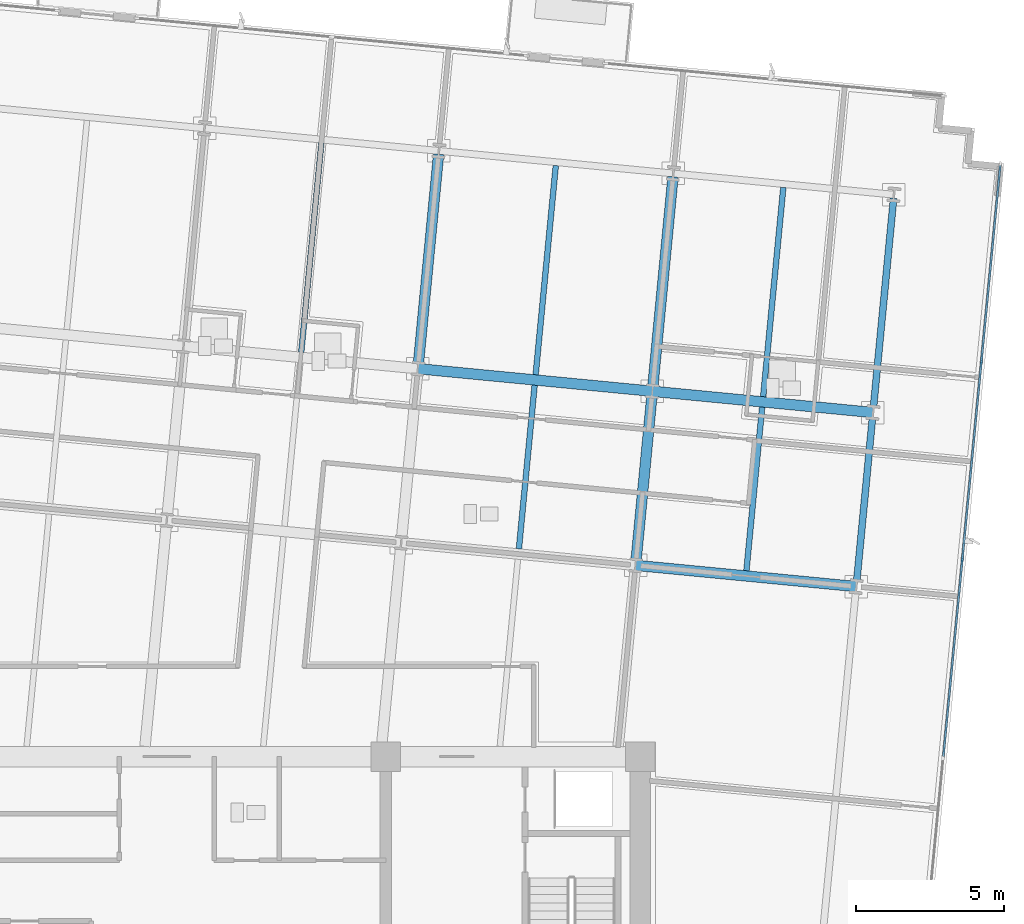
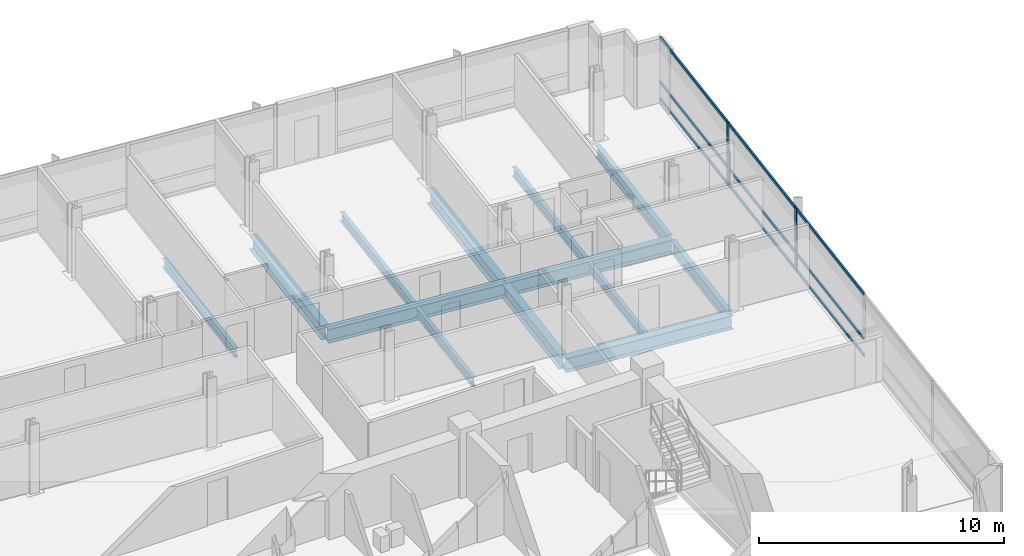
# One storey, part 6 of 17: 13 beams, 11 members, 1 element without a shape of its own.
"""IFC4 building model written with IfcOpenShell, lengths in metres."""

from ifc_helpers import new_model, si_unit, direction, frame, origin, origin_2d, place, context, subcontext, project, spatial, rectangle, i_section, extrude, material, material_profile, profile_set, type_object, element, aggregate, save


model = new_model("IFC4")

# Units and contexts
model_context = context("Model", 3, precision=1e-05, world=origin(), true_north=direction((0.0, 1.0)))
body_context = subcontext(model_context, "Body", "Model", "MODEL_VIEW")
ifc_project = project(units=[si_unit("LENGTHUNIT", "METRE"), si_unit("AREAUNIT", "SQUARE_METRE"), si_unit("VOLUMEUNIT", "CUBIC_METRE"), si_unit("PLANEANGLEUNIT", "RADIAN"), si_unit("MASSUNIT", "GRAM", prefix="KILO")], contexts=[model_context])

# Site, building, storey
site_placement = place(None, origin())
site = spatial("IfcSite", under=ifc_project, at=site_placement, CompositionType="ELEMENT")
building_placement = place(site_placement, origin())
building = spatial("IfcBuilding", under=site, at=building_placement, Name="Solmavex Isthmus Hotel", CompositionType="ELEMENT")
storey_placement = place(building_placement, frame((0.0, 0.0, 170.39990234375)))
storey = spatial("IfcBuildingStorey", under=building, at=storey_placement, Name="L46", CompositionType="ELEMENT", Elevation=170.39990234375)

# Beams
ifc_material_1 = material(Name="Steel ASTM A992 Grade 50", Category="steel")
ifc_material_profile_1 = material_profile(ifc_material_1, i_section(OverallWidth=0.354736328125, OverallDepth=0.695556640625, WebThickness=0.015380859375, FlangeThickness=0.02490234375, FilletRadius=0.017822265625, at=origin_2d()), Name="W27X146")
ifc_profile_set_1 = profile_set([ifc_material_profile_1], Name="Steel ASTM A992 Grade 50")
beam_type_1 = type_object("IfcBeamType", Name="BM-BG-W27X146", PredefinedType="BEAM", material=ifc_profile_set_1)
beam_1_placement = place(storey_placement, frame((15.840087890625, 3.96533203125, -0.607666015625), z_axis=(0.995394980007, -0.095858404835, 0.0), x_axis=(0.095858404835, 0.995394980007, 0.0)))
element("IfcBeam", 1, at=beam_1_placement, inside=storey, type_object=beam_type_1, Name="Floor Girder L46-UG08", PredefinedType="BEAM", context=body_context, shape_type="SweptSolid", body=[
    extrude(i_section(OverallWidth=0.354736328125, OverallDepth=0.695556640625, WebThickness=0.015380859375, FlangeThickness=0.02490234375, FilletRadius=0.017822265625, at=origin_2d()), origin(), (0.0, 0.0, 1.0), 7.48779296875),
])
beam_2_placement = place(storey_placement, frame((8.48681640625, 10.608642578125, -0.607666015625), z_axis=(0.995394512348, -0.095863260885, 0.0), x_axis=(0.095863260885, 0.995394512348, 0.0)))
element("IfcBeam", 2, at=beam_2_placement, inside=storey, type_object=beam_type_1, Name="Floor Girder L46-UG13", PredefinedType="BEAM", context=body_context, shape_type="SweptSolid", body=[
    extrude(i_section(OverallWidth=0.354736328125, OverallDepth=0.695556640625, WebThickness=0.015380859375, FlangeThickness=0.02490234375, FilletRadius=0.017822265625, at=origin_2d()), origin(), (0.0, 0.0, 1.0), 7.9560546875),
])
beam_3_placement = place(storey_placement, frame((16.40625, 9.845947265625, -0.607666015625), z_axis=(0.995398389938, -0.095822989454, 0.0), x_axis=(0.095822989454, 0.995398389938, 0.0)))
element("IfcBeam", 3, at=beam_3_placement, inside=storey, type_object=beam_type_1, Name="Floor Girder L46-UG14", PredefinedType="BEAM", context=body_context, shape_type="SweptSolid", body=[
    extrude(i_section(OverallWidth=0.354736328125, OverallDepth=0.695556640625, WebThickness=0.015380859375, FlangeThickness=0.02490234375, FilletRadius=0.017822265625, at=origin_2d()), origin(), (0.0, 0.0, 1.0), 7.488037109375),
])
beam_4_placement = place(storey_placement, frame((8.50390625, 10.78515625, -0.607666015625), z_axis=(0.095842805175, 0.99539648216, 0.0), x_axis=(-0.99539648216, 0.095842805175, 0.0)))
element("IfcBeam", 4, at=beam_4_placement, inside=storey, type_object=beam_type_1, Name="Floor Beam L46-VG35", PredefinedType="BEAM", context=body_context, shape_type="SweptSolid", body=[
    extrude(i_section(OverallWidth=0.354736328125, OverallDepth=0.695556640625, WebThickness=0.015380859375, FlangeThickness=0.02490234375, FilletRadius=0.017822265625, at=origin_2d()), origin(), (0.0, 0.0, 1.0), 7.099365234375),
])
beam_5_placement = place(storey_placement, frame((15.85693359375, 4.141845703125, -0.607666015625), z_axis=(0.095842252862, 0.99539653534, 0.0), x_axis=(-0.99539653534, 0.095842252862, 0.0)))
element("IfcBeam", 5, at=beam_5_placement, inside=storey, type_object=beam_type_1, Name="Floor Beam L46-VG37", PredefinedType="BEAM", context=body_context, shape_type="SweptSolid", body=[
    extrude(i_section(OverallWidth=0.354736328125, OverallDepth=0.695556640625, WebThickness=0.015380859375, FlangeThickness=0.02490234375, FilletRadius=0.017822265625, at=origin_2d()), origin(), (0.0, 0.0, 1.0), 5.55322265625),
])
beam_6_placement = place(storey_placement, frame((16.42333984375, 10.022705078125, -0.607666015625), z_axis=(0.095842805175, 0.99539648216, 0.0), x_axis=(-0.99539648216, 0.095842805175, 0.0)))
element("IfcBeam", 6, at=beam_6_placement, inside=storey, type_object=beam_type_1, Name="Floor Beam L46-VG38", PredefinedType="BEAM", context=body_context, shape_type="SweptSolid", body=[
    extrude(i_section(OverallWidth=0.354736328125, OverallDepth=0.695556640625, WebThickness=0.015380859375, FlangeThickness=0.02490234375, FilletRadius=0.017822265625, at=origin_2d()), origin(), (0.0, 0.0, 1.0), 7.099365234375),
])
ifc_material_profile_2 = material_profile(ifc_material_1, i_section(OverallWidth=0.1904296875, OverallDepth=0.456787109375, WebThickness=0.009033203125, FlangeThickness=0.014404296875, FilletRadius=0.0126953125, at=origin_2d()), Name="W18X50")
ifc_profile_set_2 = profile_set([ifc_material_profile_2], Name="Steel ASTM A992 Grade 50")
beam_type_2 = type_object("IfcBeamType", Name="BM-BJ-W18X50", PredefinedType="JOIST", material=ifc_profile_set_2)
beam_7_placement = place(storey_placement, frame((4.544189453125, 11.16650390625, -0.48828125), z_axis=(0.095842805175, 0.99539648216, 0.0), x_axis=(-0.99539648216, 0.095842805175, 0.0)))
element("IfcBeam", 7, at=beam_7_placement, inside=storey, type_object=beam_type_2, Name="Secondary Floor Joist L46-J12", PredefinedType="JOIST", context=body_context, shape_type="SweptSolid", body=[
    extrude(i_section(OverallWidth=0.1904296875, OverallDepth=0.456787109375, WebThickness=0.009033203125, FlangeThickness=0.014404296875, FilletRadius=0.0126953125, at=origin_2d()), origin(), (0.0, 0.0, 1.0), 7.099365234375),
])
beam_8_placement = place(storey_placement, frame((11.8974609375, 4.523193359375, -0.48828125), z_axis=(0.095842252862, 0.99539653534, 0.0), x_axis=(-0.99539653534, 0.095842252862, 0.0)))
element("IfcBeam", 8, at=beam_8_placement, inside=storey, type_object=beam_type_2, Name="Secondary Floor Joist L46-J14", PredefinedType="JOIST", context=body_context, shape_type="SweptSolid", body=[
    extrude(i_section(OverallWidth=0.1904296875, OverallDepth=0.456787109375, WebThickness=0.009033203125, FlangeThickness=0.014404296875, FilletRadius=0.0126953125, at=origin_2d()), origin(), (0.0, 0.0, 1.0), 5.55322265625),
])
beam_9_placement = place(storey_placement, frame((12.463623046875, 10.40380859375, -0.48828125), z_axis=(0.095839524498, 0.995396798038, 0.0), x_axis=(-0.995396798038, 0.095839524498, 0.0)))
element("IfcBeam", 9, at=beam_9_placement, inside=storey, type_object=beam_type_2, Name="Secondary Floor Joist L46-J15", PredefinedType="JOIST", context=body_context, shape_type="SweptSolid", body=[
    extrude(i_section(OverallWidth=0.1904296875, OverallDepth=0.456787109375, WebThickness=0.009033203125, FlangeThickness=0.014404296875, FilletRadius=0.0126953125, at=origin_2d()), origin(), (0.0, 0.0, 1.0), 7.099609375),
])
beam_10_placement = place(storey_placement, frame((19.583740234375, 3.782958984375, -0.48828125), z_axis=(0.095842252862, 0.99539653534, 0.0), x_axis=(-0.99539653534, 0.095842252862, 0.0)))
element("IfcBeam", 10, at=beam_10_placement, inside=storey, type_object=beam_type_2, Name="Secondary Floor Joist L46-J16", PredefinedType="JOIST", context=body_context, shape_type="SweptSolid", body=[
    extrude(i_section(OverallWidth=0.1904296875, OverallDepth=0.456787109375, WebThickness=0.009033203125, FlangeThickness=0.014404296875, FilletRadius=0.0126953125, at=origin_2d()), origin(), (0.0, 0.0, 1.0), 5.55322265625),
])
beam_11_placement = place(storey_placement, frame((20.150146484375, 9.663818359375, -0.48828125), z_axis=(0.095842805175, 0.99539648216, 0.0), x_axis=(-0.99539648216, 0.095842805175, 0.0)))
element("IfcBeam", 11, at=beam_11_placement, inside=storey, type_object=beam_type_2, Name="Secondary Floor Joist L46-J17", PredefinedType="JOIST", context=body_context, shape_type="SweptSolid", body=[
    extrude(i_section(OverallWidth=0.1904296875, OverallDepth=0.456787109375, WebThickness=0.009033203125, FlangeThickness=0.014404296875, FilletRadius=0.0126953125, at=origin_2d()), origin(), (0.0, 0.0, 1.0), 7.099365234375),
])
ifc_material_profile_3 = material_profile(ifc_material_1, i_section(OverallWidth=0.230224609375, OverallDepth=0.617431640625, WebThickness=0.01318359375, FlangeThickness=0.022216796875, FilletRadius=0.01513671875, at=origin_2d()), Name="W24X94")
ifc_profile_set_3 = profile_set([ifc_material_profile_3], Name="Steel ASTM A992 Grade 50")
beam_type_3 = type_object("IfcBeamType", Name="BM-SP-W24X94", PredefinedType="SPANDREL", material=ifc_profile_set_3)
beam_12_placement = place(storey_placement, frame((23.310546875, 3.424072265625, -0.568603515625), z_axis=(0.095842252862, 0.99539653534, 0.0), x_axis=(-0.99539653534, 0.095842252862, 0.0)))
element("IfcBeam", 12, at=beam_12_placement, inside=storey, type_object=beam_type_3, Name="Floor Beam L46-VG40", PredefinedType="SPANDREL", context=body_context, shape_type="SweptSolid", body=[
    extrude(i_section(OverallWidth=0.230224609375, OverallDepth=0.617431640625, WebThickness=0.01318359375, FlangeThickness=0.022216796875, FilletRadius=0.01513671875, at=origin_2d()), origin(), (0.0, 0.0, 1.0), 5.55322265625),
])
beam_13_placement = place(storey_placement, frame((23.876708984375, 9.304931640625, -0.568603515625), z_axis=(0.09587687835, 0.9953932008, 0.0), x_axis=(-0.9953932008, 0.09587687835, 0.0)))
element("IfcBeam", 13, at=beam_13_placement, inside=storey, type_object=beam_type_3, Name="Floor Beam L46-VG41", PredefinedType="SPANDREL", context=body_context, shape_type="SweptSolid", body=[
    extrude(i_section(OverallWidth=0.230224609375, OverallDepth=0.617431640625, WebThickness=0.01318359375, FlangeThickness=0.022216796875, FilletRadius=0.01513671875, at=origin_2d()), origin(), (0.0, 0.0, 1.0), 7.099365234375),
])

# Curtain wall, members
ifc_material_2 = material(Name="Aluminium alloy 6063-T6", Category="aluminium")
curtain_wall_type = type_object("IfcCurtainWallType", Name="CW-SYS-03", PredefinedType="NOTDEFINED", material=ifc_material_2)
curtain_wall_placement = place(storey_placement, origin())
curtain_wall = element("IfcCurtainWall", 14, at=curtain_wall_placement, inside=storey, type_object=curtain_wall_type, Name="Stick Curtain Wall CWL-L46-E1", PredefinedType="NOTDEFINED")
ifc_material_profile_4 = material_profile(ifc_material_2, rectangle(XDim=0.070068359375, YDim=0.179931640625, at=origin_2d()), Name="CWM-70X180")
ifc_profile_set_4 = profile_set([ifc_material_profile_4], Name="Aluminium alloy 6063-T6")
member_type_1 = type_object("IfcMemberType", Name="CW-SYS-03-MUL", PredefinedType="MULLION", material=ifc_profile_set_4)
member_1_placement = place(storey_placement, frame((26.878173828125, 4.168212890625, 0.0), z_axis=(0.0, 0.0, 1.0), x_axis=(-0.995396190038, 0.09584583902, 0.0)))
member_1 = element("IfcMember", 15, at=member_1_placement, type_object=member_type_1, Name="CW-03 mullion 4", PredefinedType="MULLION", context=body_context, shape_type="SweptSolid", body=[
    extrude(rectangle(XDim=0.070068359375, YDim=0.179931640625, at=origin_2d()), origin(), (0.0, 0.0, 1.0), 3.190185546875),
])
member_2_placement = place(storey_placement, frame((27.5224609375, 10.857177734375, 0.0), z_axis=(0.0, 0.0, 1.0), x_axis=(-0.995396190038, 0.09584583902, 0.0)))
member_2 = element("IfcMember", 16, at=member_2_placement, type_object=member_type_1, Name="CW-03 mullion 5", PredefinedType="MULLION", context=body_context, shape_type="SweptSolid", body=[
    extrude(rectangle(XDim=0.070068359375, YDim=0.179931640625, at=origin_2d()), origin(), (0.0, 0.0, 1.0), 3.190185546875),
])
ifc_material_profile_5 = material_profile(ifc_material_2, rectangle(XDim=0.070068359375, YDim=0.139892578125, at=origin_2d()), Name="CWT-70X140")
ifc_profile_set_5 = profile_set([ifc_material_profile_5], Name="Aluminium alloy 6063-T6")
member_type_2 = type_object("IfcMemberType", Name="CW-SYS-03-TRN", PredefinedType="USERDEFINED", material=ifc_profile_set_5)
member_3_placement = place(storey_placement, frame((26.237548828125, -2.486083984375, 0.070068359375), z_axis=(0.095857212138, 0.995395094865, 0.0), x_axis=(-0.995395094865, 0.095857212138, 0.0)))
member_3 = element("IfcMember", 17, at=member_3_placement, type_object=member_type_2, Name="CW-03 transom 3.1", ObjectType="TRANSOM", PredefinedType="USERDEFINED", context=body_context, shape_type="SweptSolid", body=[
    extrude(rectangle(XDim=0.070068359375, YDim=0.139892578125, at=origin_2d()), origin(), (0.0, 0.0, 1.0), 6.64990234375),
])
member_4_placement = place(storey_placement, frame((26.237548828125, -2.486083984375, 0.900146484375), z_axis=(0.095857212138, 0.995395094865, 0.0), x_axis=(-0.995395094865, 0.095857212138, 0.0)))
member_4 = element("IfcMember", 18, at=member_4_placement, type_object=member_type_2, Name="CW-03 transom 3.2", ObjectType="TRANSOM", PredefinedType="USERDEFINED", context=body_context, shape_type="SweptSolid", body=[
    extrude(rectangle(XDim=0.070068359375, YDim=0.139892578125, at=origin_2d()), origin(), (0.0, 0.0, 1.0), 6.64990234375),
])
member_5_placement = place(storey_placement, frame((26.237548828125, -2.486083984375, 3.1201171875), z_axis=(0.095857212138, 0.995395094865, 0.0), x_axis=(-0.995395094865, 0.095857212138, 0.0)))
member_5 = element("IfcMember", 19, at=member_5_placement, type_object=member_type_2, Name="CW-03 transom 3.3", ObjectType="TRANSOM", PredefinedType="USERDEFINED", context=body_context, shape_type="SweptSolid", body=[
    extrude(rectangle(XDim=0.070068359375, YDim=0.139892578125, at=origin_2d()), origin(), (0.0, 0.0, 1.0), 6.64990234375),
])
member_6_placement = place(storey_placement, frame((26.881591796875, 4.203125, 0.070068359375), z_axis=(0.095857212138, 0.995395094865, 0.0), x_axis=(-0.995395094865, 0.095857212138, 0.0)))
member_6 = element("IfcMember", 20, at=member_6_placement, type_object=member_type_2, Name="CW-03 transom 4.1", ObjectType="TRANSOM", PredefinedType="USERDEFINED", context=body_context, shape_type="SweptSolid", body=[
    extrude(rectangle(XDim=0.070068359375, YDim=0.139892578125, at=origin_2d()), origin(), (0.0, 0.0, 1.0), 6.64990234375),
])
member_7_placement = place(storey_placement, frame((26.881591796875, 4.203125, 0.900146484375), z_axis=(0.095857212138, 0.995395094865, 0.0), x_axis=(-0.995395094865, 0.095857212138, 0.0)))
member_7 = element("IfcMember", 21, at=member_7_placement, type_object=member_type_2, Name="CW-03 transom 4.2", ObjectType="TRANSOM", PredefinedType="USERDEFINED", context=body_context, shape_type="SweptSolid", body=[
    extrude(rectangle(XDim=0.070068359375, YDim=0.139892578125, at=origin_2d()), origin(), (0.0, 0.0, 1.0), 6.64990234375),
])
member_8_placement = place(storey_placement, frame((26.881591796875, 4.203125, 3.1201171875), z_axis=(0.095857212138, 0.995395094865, 0.0), x_axis=(-0.995395094865, 0.095857212138, 0.0)))
member_8 = element("IfcMember", 22, at=member_8_placement, type_object=member_type_2, Name="CW-03 transom 4.3", ObjectType="TRANSOM", PredefinedType="USERDEFINED", context=body_context, shape_type="SweptSolid", body=[
    extrude(rectangle(XDim=0.070068359375, YDim=0.139892578125, at=origin_2d()), origin(), (0.0, 0.0, 1.0), 6.64990234375),
])
member_9_placement = place(storey_placement, frame((27.525634765625, 10.89208984375, 0.070068359375), z_axis=(0.095848837806, 0.995395901283, 0.0), x_axis=(-0.995395901283, 0.095848837806, 0.0)))
member_9 = element("IfcMember", 23, at=member_9_placement, type_object=member_type_2, Name="CW-03 transom 5.1", ObjectType="TRANSOM", PredefinedType="USERDEFINED", context=body_context, shape_type="SweptSolid", body=[
    extrude(rectangle(XDim=0.070068359375, YDim=0.139892578125, at=origin_2d()), origin(), (0.0, 0.0, 1.0), 6.614990234375),
])
member_10_placement = place(storey_placement, frame((27.525634765625, 10.89208984375, 0.900146484375), z_axis=(0.095848837806, 0.995395901283, 0.0), x_axis=(-0.995395901283, 0.095848837806, 0.0)))
member_10 = element("IfcMember", 24, at=member_10_placement, type_object=member_type_2, Name="CW-03 transom 5.2", ObjectType="TRANSOM", PredefinedType="USERDEFINED", context=body_context, shape_type="SweptSolid", body=[
    extrude(rectangle(XDim=0.070068359375, YDim=0.139892578125, at=origin_2d()), origin(), (0.0, 0.0, 1.0), 6.614990234375),
])
member_11_placement = place(storey_placement, frame((27.525634765625, 10.89208984375, 3.1201171875), z_axis=(0.095848837806, 0.995395901283, 0.0), x_axis=(-0.995395901283, 0.095848837806, 0.0)))
member_11 = element("IfcMember", 25, at=member_11_placement, type_object=member_type_2, Name="CW-03 transom 5.3", ObjectType="TRANSOM", PredefinedType="USERDEFINED", context=body_context, shape_type="SweptSolid", body=[
    extrude(rectangle(XDim=0.070068359375, YDim=0.139892578125, at=origin_2d()), origin(), (0.0, 0.0, 1.0), 6.614990234375),
])
aggregate(curtain_wall, [member_1, member_2, member_3, member_4, member_5, member_6, member_7, member_8, member_9, member_10, member_11])

save(model, "model.ifc")
